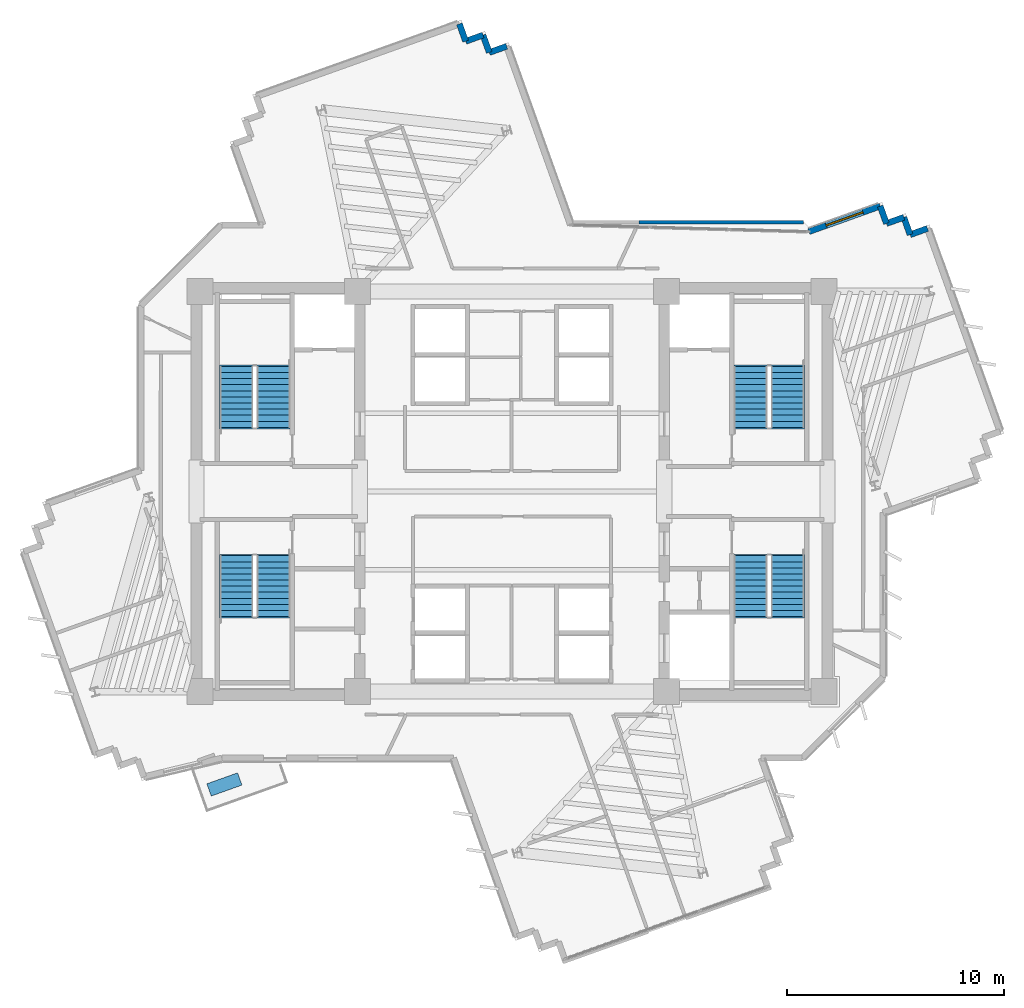
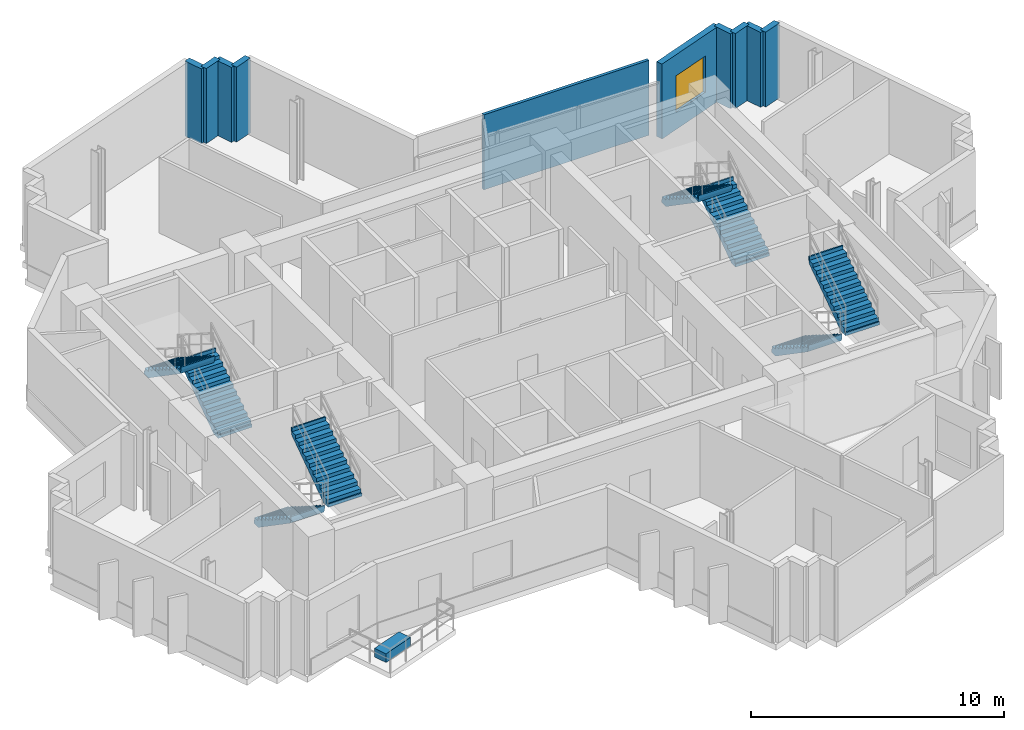
# One storey, part 10 of 13: 10 walls, 8 stair flights, 1 discrete accessory, 1 window, 1 opening, 4 elements without a shape of their own.
"""IFC4 building model written with IfcOpenShell, lengths in metres."""

from ifc_helpers import new_model, si_unit, direction, frame, frame_2d, origin, origin_2d, place, context, subcontext, project, spatial, polyline, rectangle, outline, extrude, source, transform, mapped, material, layer, layer_set, type_object, element, fill, aggregate, save


model = new_model("IFC4")

# Units and contexts
model_context = context("Model", 3, precision=1e-05, world=origin(), true_north=direction((0.0, 1.0)))
body_context = subcontext(model_context, "Body", "Model", "MODEL_VIEW")
ifc_project = project(units=[si_unit("LENGTHUNIT", "METRE"), si_unit("AREAUNIT", "SQUARE_METRE"), si_unit("VOLUMEUNIT", "CUBIC_METRE"), si_unit("PLANEANGLEUNIT", "RADIAN"), si_unit("MASSUNIT", "GRAM", prefix="KILO")], contexts=[model_context])

# Site, building, storey
site_placement = place(None, origin())
site = spatial("IfcSite", under=ifc_project, at=site_placement, CompositionType="ELEMENT")
building_placement = place(site_placement, origin())
building = spatial("IfcBuilding", under=site, at=building_placement, Name="Zahravan Cultural Tower", CompositionType="ELEMENT")
storey_placement = place(building_placement, frame((0.0, 0.0, 221.39990234375)))
storey = spatial("IfcBuildingStorey", under=building, at=storey_placement, Name="L52", CompositionType="ELEMENT", Elevation=221.39990234375)

# Wall, opening, window
ifc_material_1 = material(Name="Precast concrete C40/50", Category="concrete")
ifc_layer_1 = layer(ifc_material_1, 0.280029296875)
ifc_layer_set_1 = layer_set([ifc_layer_1], Name="Precast concrete C40/50")
wall_type_1 = type_object("IfcWallType", Name="EW-TC-280", PredefinedType="SOLIDWALL", material=ifc_layer_set_1)
wall_1_placement = place(storey_placement, frame((49.650634765625, 38.951416015625, 0.0), z_axis=(0.0, 0.0, 1.0), x_axis=(0.941665776774, 0.336549498368, 0.0)))
wall_1 = element("IfcWall", 1, at=wall_1_placement, inside=storey, type_object=wall_type_1, Name="L52 Exterior Masonry Frame Wall 01", PredefinedType="SOLIDWALL", context=body_context, shape_type="SweptSolid", body=[
    extrude(rectangle(XDim=3.4833984375, YDim=0.280029296875, at=frame_2d((1.74169921875, 0.0))), origin(), (0.0, 0.0, 1.0), 3.6201171875),
])
opening_placement = place(wall_1_placement, frame((0.842041015625, 0.0, 0.85009765625)))
opening = element("IfcOpeningElement", 2, at=opening_placement, cuts=wall_1, Name="Opening WN-02", PredefinedType="OPENING", context=body_context, shape_type="SweptSolid", body=[
    extrude(rectangle(XDim=1.800048828125, YDim=1.75, at=frame_2d((0.89990234375, 0.875))), frame((0.0, 0.14990234375, 0.0), z_axis=(0.0, -1.0, 0.0), x_axis=(1.0, 0.0, 0.0)), (0.0, 0.0, 1.0), 0.300048828125),
])
ifc_material_2 = material(Name="Low-E solar-control double glazing", Category="glass")
window_type = type_object("IfcWindowType", Name="WN-REC-1800X1750", PartitioningType="DOUBLE_PANEL_VERTICAL", PredefinedType="WINDOW", material=ifc_material_2)
shared_shape_1 = source(origin(), body_context, "Body", "SweptSolid", [
    extrude(rectangle(XDim=1.800048828125, YDim=1.75, at=frame_2d((0.89990234375, 0.875))), frame((0.0, 0.030029296875, 0.0), z_axis=(0.0, -1.0, 0.0), x_axis=(1.0, 0.0, 0.0)), (0.0, 0.0, 1.0), 0.06005859375),
])
window_placement = place(opening_placement, origin())
window = element("IfcWindow", 3, at=window_placement, inside=storey, type_object=window_type, Name="L52 Recessed Solar Window 01", OverallHeight=1.75, OverallWidth=1.800048828125, PartitioningType="DOUBLE_PANEL_VERTICAL", PredefinedType="WINDOW", context=body_context, shape_type="MappedRepresentation", body=[
    mapped(shared_shape_1, transform((0.0, 0.0, 0.0), x_axis=(1.0, 0.0, 0.0), y_axis=(0.0, 1.0, 0.0), z_axis=(0.0, 0.0, 1.0), scale=1.0)),
])
fill(opening, window)

# Walls
shared_shape_2 = source(origin(), body_context, "Body", "SweptSolid", [
    extrude(rectangle(XDim=0.85009765625, YDim=0.280029296875, at=frame_2d((0.425048828125, 0.0))), origin(), (0.0, 0.0, 1.0), 3.6201171875),
])
for number, where, z_axis, x_axis, name in (
    (4, (54.303466796875, 38.808837890625, 0.0), (0.0, 0.0, 1.0), (0.941657417713, 0.336572886112, 0.0), "L52 Exterior Masonry Frame Wall 05"),
    (5, (33.5830078125, 48.500732421875, 0.0), (0.0, 0.0, 1.0), (0.336318202891, -0.941748409292, 0.0), "L52 Exterior Masonry Frame Wall 46"),
    (6, (33.868896484375, 47.7001953125, 0.0), (0.0, 0.0, 1.0), (0.941657417713, 0.336572886112, 0.0), "L52 Exterior Masonry Frame Wall 47"),
):
    element("IfcWall", number, at=place(storey_placement, frame(where, z_axis=z_axis, x_axis=x_axis)), inside=storey, type_object=wall_type_1, Name=name, PredefinedType="SOLIDWALL", context=body_context, shape_type="MappedRepresentation", body=[
        mapped(shared_shape_2, transform((0.0, 0.0, 0.0), x_axis=(1.0, 0.0, 0.0), y_axis=(0.0, 1.0, 0.0), z_axis=(0.0, 0.0, 1.0), scale=1.0)),
    ])
shared_shape_3 = source(origin(), body_context, "Body", "SweptSolid", [
    extrude(rectangle(XDim=0.849853515625, YDim=0.280029296875, at=frame_2d((0.4248046875, 0.0))), origin(), (0.0, 0.0, 1.0), 3.6201171875),
])
for number, where, z_axis, x_axis, name in (
    (7, (53.217041015625, 39.322998046875, 0.0), (0.0, 0.0, 1.0), (0.941624872587, 0.33666392638, 0.0), "L52 Exterior Masonry Frame Wall 03"),
    (8, (54.017333984375, 39.609130859375, 0.0), (0.0, 0.0, 1.0), (0.33666392638, -0.941624872587, 0.0), "L52 Exterior Masonry Frame Wall 04"),
    (9, (34.66943359375, 47.986328125, 0.0), (0.0, 0.0, 1.0), (0.33666392638, -0.941624872587, 0.0), "L52 Exterior Masonry Frame Wall 48"),
    (10, (34.95556640625, 47.18603515625, 0.0), (0.0, 0.0, 1.0), (0.941624872587, 0.33666392638, 0.0), "L52 Exterior Masonry Frame Wall 49"),
):
    element("IfcWall", number, at=place(storey_placement, frame(where, z_axis=z_axis, x_axis=x_axis)), inside=storey, type_object=wall_type_1, Name=name, PredefinedType="SOLIDWALL", context=body_context, shape_type="MappedRepresentation", body=[
        mapped(shared_shape_3, transform((0.0, 0.0, 0.0), x_axis=(1.0, 0.0, 0.0), y_axis=(0.0, 1.0, 0.0), z_axis=(0.0, 0.0, 1.0), scale=1.0)),
    ])
shared_shape_4 = source(origin(), body_context, "Body", "SweptSolid", [
    extrude(rectangle(XDim=0.850341796875, YDim=0.280029296875, at=frame_2d((0.42529296875, 0.0))), origin(), (0.0, 0.0, 1.0), 3.6201171875),
])
wall_2_placement = place(storey_placement, frame((52.930908203125, 40.123779296875, 0.0), z_axis=(0.0, 0.0, 1.0), x_axis=(0.336481891926, -0.941689936447, 0.0)))
element("IfcWall", 11, at=wall_2_placement, inside=storey, type_object=wall_type_1, Name="L52 Exterior Masonry Frame Wall 02", PredefinedType="SOLIDWALL", context=body_context, shape_type="MappedRepresentation", body=[
    mapped(shared_shape_4, transform((0.0, 0.0, 0.0), x_axis=(1.0, 0.0, 0.0), y_axis=(0.0, 1.0, 0.0), z_axis=(0.0, 0.0, 1.0), scale=1.0)),
])
ifc_material_3 = material(Name="Gypsum plasterboard partition")
ifc_layer_2 = layer(ifc_material_3, 0.139892578125)
ifc_layer_set_2 = layer_set([ifc_layer_2], Name="Gypsum plasterboard partition")
wall_type_2 = type_object("IfcWallType", Name="W-PART-140", PredefinedType="PARTITIONING", material=ifc_layer_set_2)
shared_shape_5 = source(origin(), body_context, "Body", "SweptSolid", [
    extrude(rectangle(XDim=7.5595703125, YDim=0.139892578125, at=frame_2d((3.77978515625, 0.0))), origin(), (0.0, 0.0, 1.0), 3.6201171875),
])
wall_3_placement = place(storey_placement, frame((41.83203125, 39.3798828125, 0.0), z_axis=(0.0, 0.0, 1.0), x_axis=(1.0, 0.0, 0.0)))
element("IfcWall", 12, at=wall_3_placement, inside=storey, type_object=wall_type_2, Name="L52 Interior Wall 104", PredefinedType="PARTITIONING", context=body_context, shape_type="MappedRepresentation", body=[
    mapped(shared_shape_5, transform((0.0, 0.0, 0.0), x_axis=(1.0, 0.0, 0.0), y_axis=(0.0, 1.0, 0.0), z_axis=(0.0, 0.0, 1.0), scale=1.0)),
])

# Stair, stair flights
ifc_material_4 = material(Name="Concrete C45/55", Category="concrete")
stair_type = type_object("IfcStairType", Name="STR-DL-1550-390", PredefinedType="HALF_TURN_STAIR", material=ifc_material_4)
stair_1_placement = place(storey_placement, origin())
stair_1 = element("IfcStair", 13, at=stair_1_placement, inside=storey, type_object=stair_type, Name="L52 West Core North Exit Stair ST-W1", PredefinedType="HALF_TURN_STAIR")
stair_flight_type = type_object("IfcStairFlightType", Name="FLG-DL-1550-390", PredefinedType="STRAIGHT", material=ifc_material_4)
stair_flight_1_placement = place(storey_placement, frame((25.02490234375, 29.949951171875, 0.0), z_axis=(0.0, 0.0, 1.0), x_axis=(0.0, 1.0, 0.0)))
stair_flight_1 = element("IfcStairFlight", 14, at=stair_flight_1_placement, type_object=stair_flight_type, Name="ST-W1 flight 1", NumberOfRisers=11, NumberOfTreads=10, PredefinedType="STRAIGHT", RiserHeight=0.177272727, TreadLength=0.28, context=body_context, shape_type="SweptSolid", body=[
    extrude(outline(polyline([(-0.06494140625, -0.139892578125), (-0.06494140625, 0.0), (0.0, 0.0), (0.0, 0.17724609375), (0.280029296875, 0.17724609375), (0.280029296875, 0.3544921875), (0.56005859375, 0.3544921875), (0.56005859375, 0.53173828125), (0.840087890625, 0.53173828125), (0.840087890625, 0.708984375), (1.1201171875, 0.708984375), (1.1201171875, 0.886474609375), (1.39990234375, 0.886474609375), (1.39990234375, 1.063720703125), (1.679931640625, 1.063720703125), (1.679931640625, 1.240966796875), (1.9599609375, 1.240966796875), (1.9599609375, 1.418212890625), (2.239990234375, 1.418212890625), (2.239990234375, 1.595458984375), (2.52001953125, 1.595458984375), (2.52001953125, 1.772705078125), (2.800048828125, 1.772705078125), (2.800048828125, 1.949951171875), (2.864990234375, 1.949951171875), (2.864990234375, 1.800048828125), (2.800048828125, 1.59521484375), (0.2802734375, -0.139892578125), (-0.06494140625, -0.139892578125)])), frame((0.0, 0.77490234375, 0.0), z_axis=(0.0, -1.0, 0.0), x_axis=(1.0, 0.0, 0.0)), (0.0, 0.0, 1.0), 1.550048828125),
])
stair_flight_2_placement = place(storey_placement, frame((23.324951171875, 32.75, 1.9501953125), z_axis=(0.0, 0.0, 1.0), x_axis=(0.0, -1.0, 0.0)))
stair_flight_2 = element("IfcStairFlight", 15, at=stair_flight_2_placement, type_object=stair_flight_type, Name="ST-W1 flight 2", NumberOfRisers=11, NumberOfTreads=10, PredefinedType="STRAIGHT", RiserHeight=0.177272727, TreadLength=0.28, context=body_context, shape_type="SweptSolid", body=[
    extrude(outline(polyline([(-0.06494140625, -0.139892578125), (-0.06494140625, 0.0), (0.0, 0.0), (0.0, 0.17724609375), (0.280029296875, 0.17724609375), (0.280029296875, 0.3544921875), (0.56005859375, 0.3544921875), (0.56005859375, 0.53173828125), (0.840087890625, 0.53173828125), (0.840087890625, 0.708984375), (1.1201171875, 0.708984375), (1.1201171875, 0.886474609375), (1.39990234375, 0.886474609375), (1.39990234375, 1.063720703125), (1.679931640625, 1.063720703125), (1.679931640625, 1.240966796875), (1.9599609375, 1.240966796875), (1.9599609375, 1.418212890625), (2.239990234375, 1.418212890625), (2.239990234375, 1.595458984375), (2.52001953125, 1.595458984375), (2.52001953125, 1.772705078125), (2.800048828125, 1.772705078125), (2.800048828125, 1.949951171875), (2.864990234375, 1.949951171875), (2.864990234375, 1.800048828125), (2.800048828125, 1.59521484375), (0.2802734375, -0.139892578125), (-0.06494140625, -0.139892578125)])), frame((0.0, 0.77490234375, 0.0), z_axis=(0.0, -1.0, 0.0), x_axis=(1.0, 0.0, 0.0)), (0.0, 0.0, 1.0), 1.550048828125),
])
aggregate(stair_1, [stair_flight_1, stair_flight_2])

stair_2_placement = place(storey_placement, origin())
stair_2 = element("IfcStair", 16, at=stair_2_placement, inside=storey, type_object=stair_type, Name="L52 West Core South Exit Stair ST-W2", PredefinedType="HALF_TURN_STAIR")
stair_flight_3_placement = place(storey_placement, frame((23.324951171875, 24.050048828125, 0.0), z_axis=(0.0, 0.0, 1.0), x_axis=(0.0, -1.0, 0.0)))
stair_flight_3 = element("IfcStairFlight", 17, at=stair_flight_3_placement, type_object=stair_flight_type, Name="ST-W2 flight 1", NumberOfRisers=11, NumberOfTreads=10, PredefinedType="STRAIGHT", RiserHeight=0.177272727, TreadLength=0.28, context=body_context, shape_type="SweptSolid", body=[
    extrude(outline(polyline([(-0.06494140625, -0.139892578125), (-0.06494140625, 0.0), (0.0, 0.0), (0.0, 0.17724609375), (0.280029296875, 0.17724609375), (0.280029296875, 0.3544921875), (0.56005859375, 0.3544921875), (0.56005859375, 0.53173828125), (0.840087890625, 0.53173828125), (0.840087890625, 0.708984375), (1.1201171875, 0.708984375), (1.1201171875, 0.886474609375), (1.39990234375, 0.886474609375), (1.39990234375, 1.063720703125), (1.679931640625, 1.063720703125), (1.679931640625, 1.240966796875), (1.9599609375, 1.240966796875), (1.9599609375, 1.418212890625), (2.239990234375, 1.418212890625), (2.239990234375, 1.595458984375), (2.52001953125, 1.595458984375), (2.52001953125, 1.772705078125), (2.800048828125, 1.772705078125), (2.800048828125, 1.949951171875), (2.864990234375, 1.949951171875), (2.864990234375, 1.800048828125), (2.800048828125, 1.59521484375), (0.2802734375, -0.139892578125), (-0.06494140625, -0.139892578125)])), frame((0.0, 0.77490234375, 0.0), z_axis=(0.0, -1.0, 0.0), x_axis=(1.0, 0.0, 0.0)), (0.0, 0.0, 1.0), 1.550048828125),
])
stair_flight_4_placement = place(storey_placement, frame((25.02490234375, 21.25, 1.9501953125), z_axis=(0.0, 0.0, 1.0), x_axis=(0.0, 1.0, 0.0)))
stair_flight_4 = element("IfcStairFlight", 18, at=stair_flight_4_placement, type_object=stair_flight_type, Name="ST-W2 flight 2", NumberOfRisers=11, NumberOfTreads=10, PredefinedType="STRAIGHT", RiserHeight=0.177272727, TreadLength=0.28, context=body_context, shape_type="SweptSolid", body=[
    extrude(outline(polyline([(-0.06494140625, -0.139892578125), (-0.06494140625, 0.0), (0.0, 0.0), (0.0, 0.17724609375), (0.280029296875, 0.17724609375), (0.280029296875, 0.3544921875), (0.56005859375, 0.3544921875), (0.56005859375, 0.53173828125), (0.840087890625, 0.53173828125), (0.840087890625, 0.708984375), (1.1201171875, 0.708984375), (1.1201171875, 0.886474609375), (1.39990234375, 0.886474609375), (1.39990234375, 1.063720703125), (1.679931640625, 1.063720703125), (1.679931640625, 1.240966796875), (1.9599609375, 1.240966796875), (1.9599609375, 1.418212890625), (2.239990234375, 1.418212890625), (2.239990234375, 1.595458984375), (2.52001953125, 1.595458984375), (2.52001953125, 1.772705078125), (2.800048828125, 1.772705078125), (2.800048828125, 1.949951171875), (2.864990234375, 1.949951171875), (2.864990234375, 1.800048828125), (2.800048828125, 1.59521484375), (0.2802734375, -0.139892578125), (-0.06494140625, -0.139892578125)])), frame((0.0, 0.77490234375, 0.0), z_axis=(0.0, -1.0, 0.0), x_axis=(1.0, 0.0, 0.0)), (0.0, 0.0, 1.0), 1.550048828125),
])
aggregate(stair_2, [stair_flight_3, stair_flight_4])

stair_3_placement = place(storey_placement, origin())
stair_3 = element("IfcStair", 19, at=stair_3_placement, inside=storey, type_object=stair_type, Name="L52 East Core North Exit Stair ST-E1", PredefinedType="HALF_TURN_STAIR")
stair_flight_5_placement = place(storey_placement, frame((48.675048828125, 29.949951171875, 0.0), z_axis=(0.0, 0.0, 1.0), x_axis=(0.0, 1.0, 0.0)))
stair_flight_5 = element("IfcStairFlight", 20, at=stair_flight_5_placement, type_object=stair_flight_type, Name="ST-E1 flight 1", NumberOfRisers=11, NumberOfTreads=10, PredefinedType="STRAIGHT", RiserHeight=0.177272727, TreadLength=0.28, context=body_context, shape_type="SweptSolid", body=[
    extrude(outline(polyline([(-0.06494140625, -0.139892578125), (-0.06494140625, 0.0), (0.0, 0.0), (0.0, 0.17724609375), (0.280029296875, 0.17724609375), (0.280029296875, 0.3544921875), (0.56005859375, 0.3544921875), (0.56005859375, 0.53173828125), (0.840087890625, 0.53173828125), (0.840087890625, 0.708984375), (1.1201171875, 0.708984375), (1.1201171875, 0.886474609375), (1.39990234375, 0.886474609375), (1.39990234375, 1.063720703125), (1.679931640625, 1.063720703125), (1.679931640625, 1.240966796875), (1.9599609375, 1.240966796875), (1.9599609375, 1.418212890625), (2.239990234375, 1.418212890625), (2.239990234375, 1.595458984375), (2.52001953125, 1.595458984375), (2.52001953125, 1.772705078125), (2.800048828125, 1.772705078125), (2.800048828125, 1.949951171875), (2.864990234375, 1.949951171875), (2.864990234375, 1.800048828125), (2.800048828125, 1.59521484375), (0.2802734375, -0.139892578125), (-0.06494140625, -0.139892578125)])), frame((0.0, 0.77490234375, 0.0), z_axis=(0.0, -1.0, 0.0), x_axis=(1.0, 0.0, 0.0)), (0.0, 0.0, 1.0), 1.550048828125),
])
stair_flight_6_placement = place(storey_placement, frame((46.97509765625, 32.75, 1.9501953125), z_axis=(0.0, 0.0, 1.0), x_axis=(0.0, -1.0, 0.0)))
stair_flight_6 = element("IfcStairFlight", 21, at=stair_flight_6_placement, type_object=stair_flight_type, Name="ST-E1 flight 2", NumberOfRisers=11, NumberOfTreads=10, PredefinedType="STRAIGHT", RiserHeight=0.177272727, TreadLength=0.28, context=body_context, shape_type="SweptSolid", body=[
    extrude(outline(polyline([(-0.06494140625, -0.139892578125), (-0.06494140625, 0.0), (0.0, 0.0), (0.0, 0.17724609375), (0.280029296875, 0.17724609375), (0.280029296875, 0.3544921875), (0.56005859375, 0.3544921875), (0.56005859375, 0.53173828125), (0.840087890625, 0.53173828125), (0.840087890625, 0.708984375), (1.1201171875, 0.708984375), (1.1201171875, 0.886474609375), (1.39990234375, 0.886474609375), (1.39990234375, 1.063720703125), (1.679931640625, 1.063720703125), (1.679931640625, 1.240966796875), (1.9599609375, 1.240966796875), (1.9599609375, 1.418212890625), (2.239990234375, 1.418212890625), (2.239990234375, 1.595458984375), (2.52001953125, 1.595458984375), (2.52001953125, 1.772705078125), (2.800048828125, 1.772705078125), (2.800048828125, 1.949951171875), (2.864990234375, 1.949951171875), (2.864990234375, 1.800048828125), (2.800048828125, 1.59521484375), (0.2802734375, -0.139892578125), (-0.06494140625, -0.139892578125)])), frame((0.0, 0.77490234375, 0.0), z_axis=(0.0, -1.0, 0.0), x_axis=(1.0, 0.0, 0.0)), (0.0, 0.0, 1.0), 1.550048828125),
])
aggregate(stair_3, [stair_flight_5, stair_flight_6])

stair_4_placement = place(storey_placement, origin())
stair_4 = element("IfcStair", 22, at=stair_4_placement, inside=storey, type_object=stair_type, Name="L52 East Core South Exit Stair ST-E2", PredefinedType="HALF_TURN_STAIR")
stair_flight_7_placement = place(storey_placement, frame((46.97509765625, 24.050048828125, 0.0), z_axis=(0.0, 0.0, 1.0), x_axis=(0.0, -1.0, 0.0)))
stair_flight_7 = element("IfcStairFlight", 23, at=stair_flight_7_placement, type_object=stair_flight_type, Name="ST-E2 flight 1", NumberOfRisers=11, NumberOfTreads=10, PredefinedType="STRAIGHT", RiserHeight=0.177272727, TreadLength=0.28, context=body_context, shape_type="SweptSolid", body=[
    extrude(outline(polyline([(-0.06494140625, -0.139892578125), (-0.06494140625, 0.0), (0.0, 0.0), (0.0, 0.17724609375), (0.280029296875, 0.17724609375), (0.280029296875, 0.3544921875), (0.56005859375, 0.3544921875), (0.56005859375, 0.53173828125), (0.840087890625, 0.53173828125), (0.840087890625, 0.708984375), (1.1201171875, 0.708984375), (1.1201171875, 0.886474609375), (1.39990234375, 0.886474609375), (1.39990234375, 1.063720703125), (1.679931640625, 1.063720703125), (1.679931640625, 1.240966796875), (1.9599609375, 1.240966796875), (1.9599609375, 1.418212890625), (2.239990234375, 1.418212890625), (2.239990234375, 1.595458984375), (2.52001953125, 1.595458984375), (2.52001953125, 1.772705078125), (2.800048828125, 1.772705078125), (2.800048828125, 1.949951171875), (2.864990234375, 1.949951171875), (2.864990234375, 1.800048828125), (2.800048828125, 1.59521484375), (0.2802734375, -0.139892578125), (-0.06494140625, -0.139892578125)])), frame((0.0, 0.77490234375, 0.0), z_axis=(0.0, -1.0, 0.0), x_axis=(1.0, 0.0, 0.0)), (0.0, 0.0, 1.0), 1.550048828125),
])
stair_flight_8_placement = place(storey_placement, frame((48.675048828125, 21.25, 1.9501953125), z_axis=(0.0, 0.0, 1.0), x_axis=(0.0, 1.0, 0.0)))
stair_flight_8 = element("IfcStairFlight", 24, at=stair_flight_8_placement, type_object=stair_flight_type, Name="ST-E2 flight 2", NumberOfRisers=11, NumberOfTreads=10, PredefinedType="STRAIGHT", RiserHeight=0.177272727, TreadLength=0.28, context=body_context, shape_type="SweptSolid", body=[
    extrude(outline(polyline([(-0.06494140625, -0.139892578125), (-0.06494140625, 0.0), (0.0, 0.0), (0.0, 0.17724609375), (0.280029296875, 0.17724609375), (0.280029296875, 0.3544921875), (0.56005859375, 0.3544921875), (0.56005859375, 0.53173828125), (0.840087890625, 0.53173828125), (0.840087890625, 0.708984375), (1.1201171875, 0.708984375), (1.1201171875, 0.886474609375), (1.39990234375, 0.886474609375), (1.39990234375, 1.063720703125), (1.679931640625, 1.063720703125), (1.679931640625, 1.240966796875), (1.9599609375, 1.240966796875), (1.9599609375, 1.418212890625), (2.239990234375, 1.418212890625), (2.239990234375, 1.595458984375), (2.52001953125, 1.595458984375), (2.52001953125, 1.772705078125), (2.800048828125, 1.772705078125), (2.800048828125, 1.949951171875), (2.864990234375, 1.949951171875), (2.864990234375, 1.800048828125), (2.800048828125, 1.59521484375), (0.2802734375, -0.139892578125), (-0.06494140625, -0.139892578125)])), frame((0.0, 0.77490234375, 0.0), z_axis=(0.0, -1.0, 0.0), x_axis=(1.0, 0.0, 0.0)), (0.0, 0.0, 1.0), 1.550048828125),
])
aggregate(stair_4, [stair_flight_7, stair_flight_8])

# Discrete accessory
ifc_material_5 = material(Name="Planted soil and terracotta planter", Category="masonry")
discrete_accessory_type = type_object("IfcDiscreteAccessoryType", Name="ACC-PLANTER-TC", PredefinedType="USERDEFINED", material=ifc_material_5)
shared_shape_6 = source(origin(), body_context, "Body", "SweptSolid", [
    extrude(rectangle(XDim=1.5, YDim=0.60009765625, at=origin_2d()), origin(), (0.0, 0.0, 1.0), 0.419921875),
])
discrete_accessory_placement = place(storey_placement, frame((22.77783203125, 13.531005859375, 0.000244140625), z_axis=(0.0, 0.0, 1.0), x_axis=(0.94166630375, 0.336548023885, 0.0)))
element("IfcDiscreteAccessory", 25, at=discrete_accessory_placement, inside=storey, type_object=discrete_accessory_type, Name="L52 Terracotta Sculpture Planter SW", ObjectType="PLANTER", PredefinedType="USERDEFINED", context=body_context, shape_type="MappedRepresentation", body=[
    mapped(shared_shape_6, transform((0.0, 0.0, 0.0), x_axis=(1.0, 0.0, 0.0), y_axis=(0.0, 1.0, 0.0), z_axis=(0.0, 0.0, 1.0), scale=1.0)),
])

save(model, "model.ifc")
